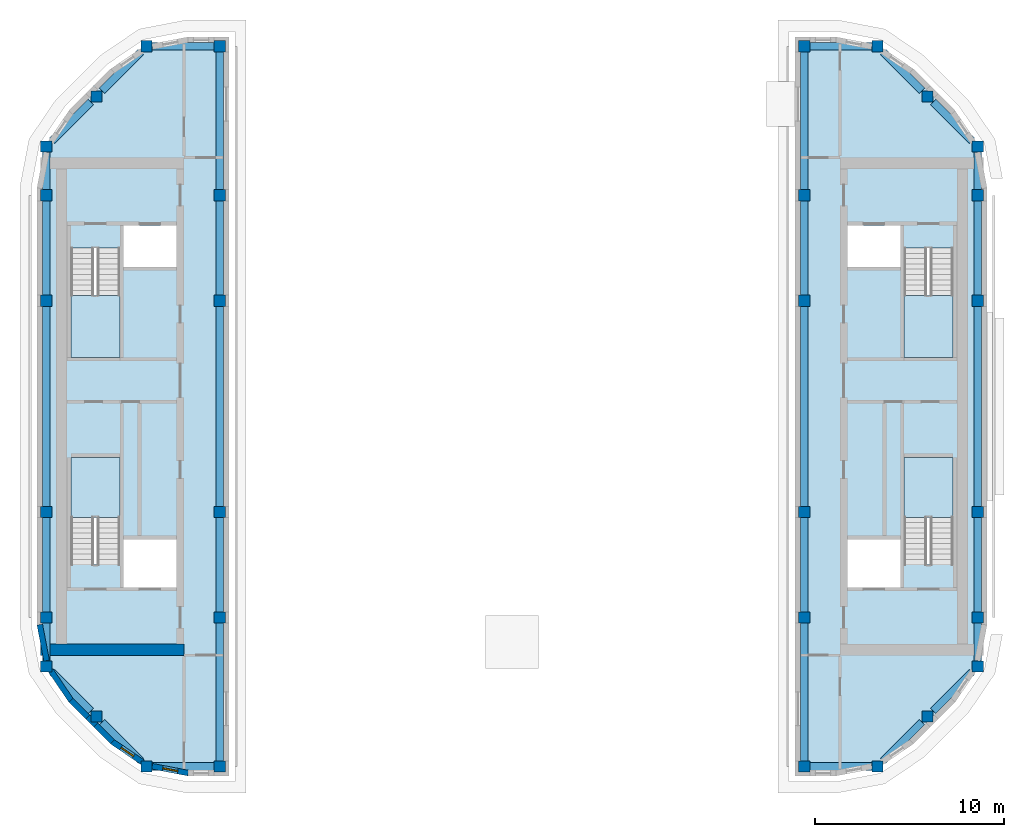
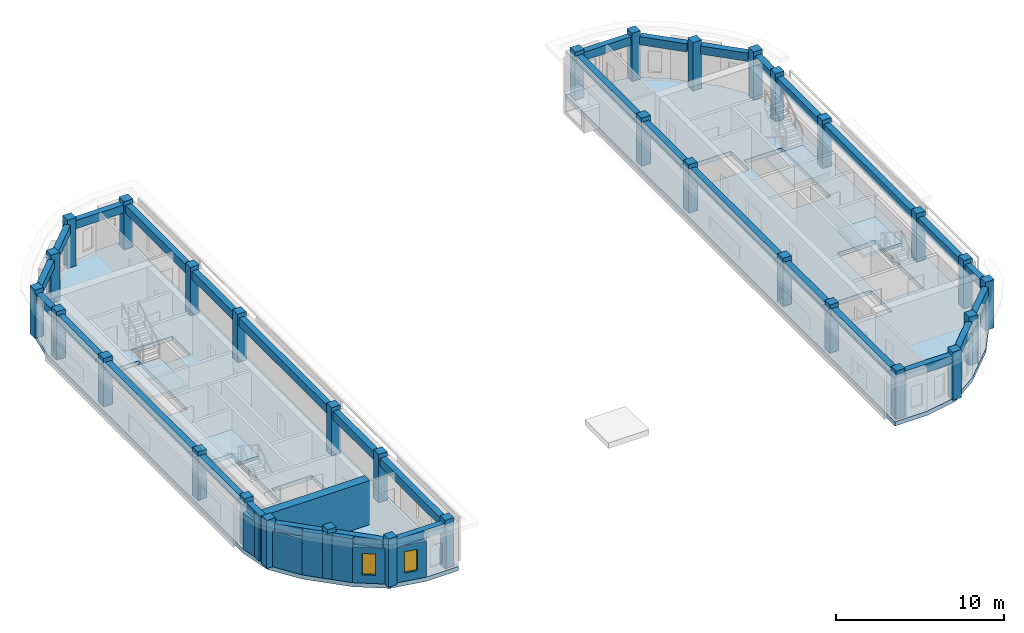
# One storey, part 1 of 11: 32 beams, 32 columns, 8 walls, 6 slabs, 2 windows, 2 openings, 4 elements without a shape of their own.
"""IFC4 building model written with IfcOpenShell, lengths in metres."""

from ifc_helpers import new_model, si_unit, direction, frame, frame_2d, origin, origin_2d, place, context, subcontext, project, spatial, polyline, rectangle, outline, extrude, material, layer, layer_set, material_profile, profile_set, type_object, element, fill, aggregate, save


model = new_model("IFC4")

# Units and contexts
model_context = context("Model", 3, precision=1e-05, world=origin(), true_north=direction((0.0, 1.0)))
body_context = subcontext(model_context, "Body", "Model", "MODEL_VIEW")
ifc_project = project(units=[si_unit("LENGTHUNIT", "METRE"), si_unit("AREAUNIT", "SQUARE_METRE"), si_unit("VOLUMEUNIT", "CUBIC_METRE"), si_unit("PLANEANGLEUNIT", "RADIAN"), si_unit("MASSUNIT", "GRAM", prefix="KILO")], contexts=[model_context])

# Site, building, storey
site_placement = place(None, origin())
site = spatial("IfcSite", under=ifc_project, at=site_placement, CompositionType="ELEMENT")
building_placement = place(site_placement, origin())
building = spatial("IfcBuilding", under=site, at=building_placement, Name="Kiln Ring Residences", CompositionType="ELEMENT")
storey_placement = place(building_placement, frame((0.0, 0.0, 303.39990234375)))
storey = spatial("IfcBuildingStorey", under=building, at=storey_placement, Name="L78 Crown", CompositionType="ELEMENT", Elevation=303.39990234375)

# Columns
ifc_material_1 = material(Name="Concrete C60/75", Category="concrete")
ifc_material_profile_1 = material_profile(ifc_material_1, rectangle(XDim=0.60009765625, YDim=0.60009765625, at=origin_2d()), Name="RC600x600")
ifc_profile_set_1 = profile_set([ifc_material_profile_1], Name="Concrete C60/75")
column_type = type_object("IfcColumnType", Name="Crown column RC600x600 C60/75", PredefinedType="COLUMN", material=ifc_profile_set_1)
for number, where, z_axis, x_axis, name in (
    (1, (-24.699951171875, -13.79296875, 0.0), (0.0, 0.0, 1.0), (1.0, 0.0, 0.0), "Crown column L78 Crown 1"),
    (2, (-24.699951171875, -11.199951171875, 0.0), (0.0, 0.0, 1.0), (1.0, 0.0, 0.0), "Crown column L78 Crown 2"),
    (3, (-24.699951171875, -5.60009765625, 0.0), (0.0, 0.0, 1.0), (1.0, 0.0, 0.0), "Crown column L78 Crown 3"),
    (4, (-24.699951171875, 5.60009765625, 0.0), (0.0, 0.0, 1.0), (1.0, 0.0, 0.0), "Crown column L78 Crown 4"),
    (5, (-24.699951171875, 11.199951171875, 0.0), (0.0, 0.0, 1.0), (1.0, 0.0, 0.0), "Crown column L78 Crown 5"),
    (6, (-24.699951171875, 13.79296875, 0.0), (0.0, 0.0, 1.0), (1.0, 0.0, 0.0), "Crown column L78 Crown 6"),
    (7, (-22.04638671875, -16.4462890625, 0.0), (0.0, 0.0, 1.0), (1.0, 0.0, 0.0), "Crown column L78 Crown 7"),
    (8, (-22.04638671875, 16.4462890625, 0.0), (0.0, 0.0, 1.0), (1.0, 0.0, 0.0), "Crown column L78 Crown 8"),
    (9, (-19.392822265625, -19.10009765625, 0.0), (0.0, 0.0, 1.0), (1.0, 0.0, 0.0), "Crown column L78 Crown 9"),
    (10, (-19.392822265625, 19.10009765625, 0.0), (0.0, 0.0, 1.0), (1.0, 0.0, 0.0), "Crown column L78 Crown 10"),
    (11, (-15.5, -19.10009765625, 0.0), (0.0, 0.0, 1.0), (1.0, 0.0, 0.0), "Crown column L78 Crown 11"),
    (12, (-15.5, -11.199951171875, 0.0), (0.0, 0.0, 1.0), (1.0, 0.0, 0.0), "Crown column L78 Crown 12"),
    (13, (-15.5, -5.60009765625, 0.0), (0.0, 0.0, 1.0), (1.0, 0.0, 0.0), "Crown column L78 Crown 13"),
    (14, (-15.5, 5.60009765625, 0.0), (0.0, 0.0, 1.0), (1.0, 0.0, 0.0), "Crown column L78 Crown 14"),
    (15, (-15.5, 11.199951171875, 0.0), (0.0, 0.0, 1.0), (1.0, 0.0, 0.0), "Crown column L78 Crown 15"),
    (16, (-15.5, 19.10009765625, 0.0), (0.0, 0.0, 1.0), (1.0, 0.0, 0.0), "Crown column L78 Crown 16"),
    (17, (15.5, -19.10009765625, 0.0), (0.0, 0.0, 1.0), (1.0, 0.0, 0.0), "Crown column L78 Crown 17"),
    (18, (15.5, -11.199951171875, 0.0), (0.0, 0.0, 1.0), (1.0, 0.0, 0.0), "Crown column L78 Crown 18"),
    (19, (15.5, -5.60009765625, 0.0), (0.0, 0.0, 1.0), (1.0, 0.0, 0.0), "Crown column L78 Crown 19"),
    (20, (15.5, 5.60009765625, 0.0), (0.0, 0.0, 1.0), (1.0, 0.0, 0.0), "Crown column L78 Crown 20"),
    (21, (15.5, 11.199951171875, 0.0), (0.0, 0.0, 1.0), (1.0, 0.0, 0.0), "Crown column L78 Crown 21"),
    (22, (15.5, 19.10009765625, 0.0), (0.0, 0.0, 1.0), (1.0, 0.0, 0.0), "Crown column L78 Crown 22"),
    (23, (19.392822265625, -19.10009765625, 0.0), (0.0, 0.0, 1.0), (1.0, 0.0, 0.0), "Crown column L78 Crown 23"),
    (24, (19.392822265625, 19.10009765625, 0.0), (0.0, 0.0, 1.0), (1.0, 0.0, 0.0), "Crown column L78 Crown 24"),
    (25, (22.04638671875, -16.4462890625, 0.0), (0.0, 0.0, 1.0), (1.0, 0.0, 0.0), "Crown column L78 Crown 25"),
    (26, (22.04638671875, 16.4462890625, 0.0), (0.0, 0.0, 1.0), (1.0, 0.0, 0.0), "Crown column L78 Crown 26"),
    (27, (24.699951171875, -13.79296875, 0.0), (0.0, 0.0, 1.0), (1.0, 0.0, 0.0), "Crown column L78 Crown 27"),
    (28, (24.699951171875, -11.199951171875, 0.0), (0.0, 0.0, 1.0), (1.0, 0.0, 0.0), "Crown column L78 Crown 28"),
    (29, (24.699951171875, -5.60009765625, 0.0), (0.0, 0.0, 1.0), (1.0, 0.0, 0.0), "Crown column L78 Crown 29"),
    (30, (24.699951171875, 5.60009765625, 0.0), (0.0, 0.0, 1.0), (1.0, 0.0, 0.0), "Crown column L78 Crown 30"),
    (31, (24.699951171875, 11.199951171875, 0.0), (0.0, 0.0, 1.0), (1.0, 0.0, 0.0), "Crown column L78 Crown 31"),
    (32, (24.699951171875, 13.79296875, 0.0), (0.0, 0.0, 1.0), (1.0, 0.0, 0.0), "Crown column L78 Crown 32"),
):
    element("IfcColumn", number, at=place(storey_placement, frame(where, z_axis=z_axis, x_axis=x_axis)), inside=storey, type_object=column_type, Name=name, PredefinedType="COLUMN", context=body_context, shape_type="SweptSolid", body=[
        extrude(rectangle(XDim=0.60009765625, YDim=0.60009765625, at=origin_2d()), origin(), (0.0, 0.0, 1.0), 3.5),
    ])

# Beams
ifc_material_2 = material(Name="Concrete C50/60", Category="concrete")
ifc_material_profile_2 = material_profile(ifc_material_2, rectangle(XDim=0.39990234375, YDim=0.60009765625, at=origin_2d()), Name="RC400x600")
ifc_profile_set_2 = profile_set([ifc_material_profile_2], Name="Concrete C50/60")
beam_type = type_object("IfcBeamType", Name="Spandrel beam RC400x600 C50/60", PredefinedType="SPANDREL", material=ifc_profile_set_2)
beam_1_placement = place(storey_placement, frame((-24.699951171875, -5.89990234375, 2.900146484375), z_axis=(0.0, -1.0, 0.0), x_axis=(1.0, 0.0, 0.0)))
element("IfcBeam", 33, at=beam_1_placement, inside=storey, type_object=beam_type, Name="Spandrel beam L78 Crown 1", PredefinedType="SPANDREL", context=body_context, shape_type="SweptSolid", body=[
    extrude(rectangle(XDim=0.39990234375, YDim=0.60009765625, at=origin_2d()), origin(), (0.0, 0.0, 1.0), 5.0),
])
beam_2_placement = place(storey_placement, frame((-24.699951171875, -11.5, 2.900146484375), z_axis=(0.0, -1.0, 0.0), x_axis=(1.0, 0.0, 0.0)))
element("IfcBeam", 34, at=beam_2_placement, inside=storey, type_object=beam_type, Name="Spandrel beam L78 Crown 2", PredefinedType="SPANDREL", context=body_context, shape_type="SweptSolid", body=[
    extrude(rectangle(XDim=0.39990234375, YDim=0.60009765625, at=origin_2d()), origin(), (0.0, 0.0, 1.0), 1.992919921875),
])
for number, where, z_axis, x_axis, name in (
    (35, (-24.39990234375, -14.0927734375, 2.900146484375), (0.707064747792, -0.707148812083, 0.0), (0.707148812083, 0.707064747792, 0.0), "Spandrel beam L78 Crown 3"),
    (36, (-21.746337890625, -16.746337890625, 2.900146484375), (0.707064747792, -0.707148812083, 0.0), (0.707148812083, 0.707064747792, 0.0), "Spandrel beam L78 Crown 4"),
):
    element("IfcBeam", number, at=place(storey_placement, frame(where, z_axis=z_axis, x_axis=x_axis)), inside=storey, type_object=beam_type, Name=name, PredefinedType="SPANDREL", context=body_context, shape_type="SweptSolid", body=[
        extrude(rectangle(XDim=0.39990234375, YDim=0.60009765625, at=origin_2d()), origin(), (0.0, 0.0, 1.0), 2.904296875),
    ])
beam_3_placement = place(storey_placement, frame((-19.093017578125, -19.10009765625, 2.900146484375), z_axis=(1.0, 0.0, 0.0), x_axis=(0.0, 1.0, 0.0)))
element("IfcBeam", 37, at=beam_3_placement, inside=storey, type_object=beam_type, Name="Spandrel beam L78 Crown 5", PredefinedType="SPANDREL", context=body_context, shape_type="SweptSolid", body=[
    extrude(rectangle(XDim=0.39990234375, YDim=0.60009765625, at=origin_2d()), origin(), (0.0, 0.0, 1.0), 3.29296875),
])
beam_4_placement = place(storey_placement, frame((-15.5, -18.800048828125, 2.900146484375), z_axis=(0.0, 1.0, 0.0), x_axis=(-1.0, 0.0, 0.0)))
element("IfcBeam", 38, at=beam_4_placement, inside=storey, type_object=beam_type, Name="Spandrel beam L78 Crown 6", PredefinedType="SPANDREL", context=body_context, shape_type="SweptSolid", body=[
    extrude(rectangle(XDim=0.39990234375, YDim=0.60009765625, at=origin_2d()), origin(), (0.0, 0.0, 1.0), 7.300048828125),
])
beam_5_placement = place(storey_placement, frame((-15.5, -10.89990234375, 2.900146484375), z_axis=(0.0, 1.0, 0.0), x_axis=(-1.0, 0.0, 0.0)))
element("IfcBeam", 39, at=beam_5_placement, inside=storey, type_object=beam_type, Name="Spandrel beam L78 Crown 7", PredefinedType="SPANDREL", context=body_context, shape_type="SweptSolid", body=[
    extrude(rectangle(XDim=0.39990234375, YDim=0.60009765625, at=origin_2d()), origin(), (0.0, 0.0, 1.0), 5.0),
])
beam_6_placement = place(storey_placement, frame((-15.5, -5.300048828125, 2.900146484375), z_axis=(0.0, 1.0, 0.0), x_axis=(-1.0, 0.0, 0.0)))
element("IfcBeam", 40, at=beam_6_placement, inside=storey, type_object=beam_type, Name="Spandrel beam L78 Crown 8", PredefinedType="SPANDREL", context=body_context, shape_type="SweptSolid", body=[
    extrude(rectangle(XDim=0.39990234375, YDim=0.60009765625, at=origin_2d()), origin(), (0.0, 0.0, 1.0), 10.60009765625),
])
beam_7_placement = place(storey_placement, frame((-15.5, 5.89990234375, 2.900146484375), z_axis=(0.0, 1.0, 0.0), x_axis=(-1.0, 0.0, 0.0)))
element("IfcBeam", 41, at=beam_7_placement, inside=storey, type_object=beam_type, Name="Spandrel beam L78 Crown 9", PredefinedType="SPANDREL", context=body_context, shape_type="SweptSolid", body=[
    extrude(rectangle(XDim=0.39990234375, YDim=0.60009765625, at=origin_2d()), origin(), (0.0, 0.0, 1.0), 5.0),
])
beam_8_placement = place(storey_placement, frame((-15.5, 11.5, 2.900146484375), z_axis=(0.0, 1.0, 0.0), x_axis=(-1.0, 0.0, 0.0)))
element("IfcBeam", 42, at=beam_8_placement, inside=storey, type_object=beam_type, Name="Spandrel beam L78 Crown 10", PredefinedType="SPANDREL", context=body_context, shape_type="SweptSolid", body=[
    extrude(rectangle(XDim=0.39990234375, YDim=0.60009765625, at=origin_2d()), origin(), (0.0, 0.0, 1.0), 7.300048828125),
])
beam_9_placement = place(storey_placement, frame((-15.800048828125, 19.10009765625, 2.900146484375), z_axis=(-1.0, 0.0, 0.0), x_axis=(0.0, -1.0, 0.0)))
element("IfcBeam", 43, at=beam_9_placement, inside=storey, type_object=beam_type, Name="Spandrel beam L78 Crown 11", PredefinedType="SPANDREL", context=body_context, shape_type="SweptSolid", body=[
    extrude(rectangle(XDim=0.39990234375, YDim=0.60009765625, at=origin_2d()), origin(), (0.0, 0.0, 1.0), 3.29296875),
])
for number, where, z_axis, x_axis, name in (
    (44, (-19.69287109375, 18.800048828125, 2.900146484375), (-0.707064747792, -0.707148812083, 0.0), (0.707148812083, -0.707064747792, 0.0), "Spandrel beam L78 Crown 12"),
    (45, (-22.346435546875, 16.146484375, 2.900146484375), (-0.707064747792, -0.707148812083, 0.0), (0.707148812083, -0.707064747792, 0.0), "Spandrel beam L78 Crown 13"),
):
    element("IfcBeam", number, at=place(storey_placement, frame(where, z_axis=z_axis, x_axis=x_axis)), inside=storey, type_object=beam_type, Name=name, PredefinedType="SPANDREL", context=body_context, shape_type="SweptSolid", body=[
        extrude(rectangle(XDim=0.39990234375, YDim=0.60009765625, at=origin_2d()), origin(), (0.0, 0.0, 1.0), 2.904296875),
    ])
beam_10_placement = place(storey_placement, frame((-24.699951171875, 13.492919921875, 2.900146484375), z_axis=(0.0, -1.0, 0.0), x_axis=(1.0, 0.0, 0.0)))
element("IfcBeam", 46, at=beam_10_placement, inside=storey, type_object=beam_type, Name="Spandrel beam L78 Crown 14", PredefinedType="SPANDREL", context=body_context, shape_type="SweptSolid", body=[
    extrude(rectangle(XDim=0.39990234375, YDim=0.60009765625, at=origin_2d()), origin(), (0.0, 0.0, 1.0), 1.992919921875),
])
beam_11_placement = place(storey_placement, frame((-24.699951171875, 10.89990234375, 2.900146484375), z_axis=(0.0, -1.0, 0.0), x_axis=(1.0, 0.0, 0.0)))
element("IfcBeam", 47, at=beam_11_placement, inside=storey, type_object=beam_type, Name="Spandrel beam L78 Crown 15", PredefinedType="SPANDREL", context=body_context, shape_type="SweptSolid", body=[
    extrude(rectangle(XDim=0.39990234375, YDim=0.60009765625, at=origin_2d()), origin(), (0.0, 0.0, 1.0), 5.0),
])
beam_12_placement = place(storey_placement, frame((-24.699951171875, 5.300048828125, 2.900146484375), z_axis=(0.0, -1.0, 0.0), x_axis=(1.0, 0.0, 0.0)))
element("IfcBeam", 48, at=beam_12_placement, inside=storey, type_object=beam_type, Name="Spandrel beam L78 Crown 16", PredefinedType="SPANDREL", context=body_context, shape_type="SweptSolid", body=[
    extrude(rectangle(XDim=0.39990234375, YDim=0.60009765625, at=origin_2d()), origin(), (0.0, 0.0, 1.0), 10.60009765625),
])
beam_13_placement = place(storey_placement, frame((15.5, -5.89990234375, 2.900146484375), z_axis=(0.0, -1.0, 0.0), x_axis=(1.0, 0.0, 0.0)))
element("IfcBeam", 49, at=beam_13_placement, inside=storey, type_object=beam_type, Name="Spandrel beam L78 Crown 17", PredefinedType="SPANDREL", context=body_context, shape_type="SweptSolid", body=[
    extrude(rectangle(XDim=0.39990234375, YDim=0.60009765625, at=origin_2d()), origin(), (0.0, 0.0, 1.0), 5.0),
])
beam_14_placement = place(storey_placement, frame((15.5, -11.5, 2.900146484375), z_axis=(0.0, -1.0, 0.0), x_axis=(1.0, 0.0, 0.0)))
element("IfcBeam", 50, at=beam_14_placement, inside=storey, type_object=beam_type, Name="Spandrel beam L78 Crown 18", PredefinedType="SPANDREL", context=body_context, shape_type="SweptSolid", body=[
    extrude(rectangle(XDim=0.39990234375, YDim=0.60009765625, at=origin_2d()), origin(), (0.0, 0.0, 1.0), 7.300048828125),
])
beam_15_placement = place(storey_placement, frame((15.800048828125, -19.10009765625, 2.900146484375), z_axis=(1.0, 0.0, 0.0), x_axis=(0.0, 1.0, 0.0)))
element("IfcBeam", 51, at=beam_15_placement, inside=storey, type_object=beam_type, Name="Spandrel beam L78 Crown 19", PredefinedType="SPANDREL", context=body_context, shape_type="SweptSolid", body=[
    extrude(rectangle(XDim=0.39990234375, YDim=0.60009765625, at=origin_2d()), origin(), (0.0, 0.0, 1.0), 3.29296875),
])
for number, where, z_axis, x_axis, name in (
    (52, (19.69287109375, -18.800048828125, 2.900146484375), (0.707064747792, 0.707148812083, 0.0), (-0.707148812083, 0.707064747792, 0.0), "Spandrel beam L78 Crown 20"),
    (53, (22.346435546875, -16.146484375, 2.900146484375), (0.707064747792, 0.707148812083, 0.0), (-0.707148812083, 0.707064747792, 0.0), "Spandrel beam L78 Crown 21"),
):
    element("IfcBeam", number, at=place(storey_placement, frame(where, z_axis=z_axis, x_axis=x_axis)), inside=storey, type_object=beam_type, Name=name, PredefinedType="SPANDREL", context=body_context, shape_type="SweptSolid", body=[
        extrude(rectangle(XDim=0.39990234375, YDim=0.60009765625, at=origin_2d()), origin(), (0.0, 0.0, 1.0), 2.904296875),
    ])
beam_16_placement = place(storey_placement, frame((24.699951171875, -13.492919921875, 2.900146484375), z_axis=(0.0, 1.0, 0.0), x_axis=(-1.0, 0.0, 0.0)))
element("IfcBeam", 54, at=beam_16_placement, inside=storey, type_object=beam_type, Name="Spandrel beam L78 Crown 22", PredefinedType="SPANDREL", context=body_context, shape_type="SweptSolid", body=[
    extrude(rectangle(XDim=0.39990234375, YDim=0.60009765625, at=origin_2d()), origin(), (0.0, 0.0, 1.0), 1.992919921875),
])
beam_17_placement = place(storey_placement, frame((24.699951171875, -10.89990234375, 2.900146484375), z_axis=(0.0, 1.0, 0.0), x_axis=(-1.0, 0.0, 0.0)))
element("IfcBeam", 55, at=beam_17_placement, inside=storey, type_object=beam_type, Name="Spandrel beam L78 Crown 23", PredefinedType="SPANDREL", context=body_context, shape_type="SweptSolid", body=[
    extrude(rectangle(XDim=0.39990234375, YDim=0.60009765625, at=origin_2d()), origin(), (0.0, 0.0, 1.0), 5.0),
])
beam_18_placement = place(storey_placement, frame((24.699951171875, -5.300048828125, 2.900146484375), z_axis=(0.0, 1.0, 0.0), x_axis=(-1.0, 0.0, 0.0)))
element("IfcBeam", 56, at=beam_18_placement, inside=storey, type_object=beam_type, Name="Spandrel beam L78 Crown 24", PredefinedType="SPANDREL", context=body_context, shape_type="SweptSolid", body=[
    extrude(rectangle(XDim=0.39990234375, YDim=0.60009765625, at=origin_2d()), origin(), (0.0, 0.0, 1.0), 10.60009765625),
])
beam_19_placement = place(storey_placement, frame((24.699951171875, 5.89990234375, 2.900146484375), z_axis=(0.0, 1.0, 0.0), x_axis=(-1.0, 0.0, 0.0)))
element("IfcBeam", 57, at=beam_19_placement, inside=storey, type_object=beam_type, Name="Spandrel beam L78 Crown 25", PredefinedType="SPANDREL", context=body_context, shape_type="SweptSolid", body=[
    extrude(rectangle(XDim=0.39990234375, YDim=0.60009765625, at=origin_2d()), origin(), (0.0, 0.0, 1.0), 5.0),
])
beam_20_placement = place(storey_placement, frame((24.699951171875, 11.5, 2.900146484375), z_axis=(0.0, 1.0, 0.0), x_axis=(-1.0, 0.0, 0.0)))
element("IfcBeam", 58, at=beam_20_placement, inside=storey, type_object=beam_type, Name="Spandrel beam L78 Crown 26", PredefinedType="SPANDREL", context=body_context, shape_type="SweptSolid", body=[
    extrude(rectangle(XDim=0.39990234375, YDim=0.60009765625, at=origin_2d()), origin(), (0.0, 0.0, 1.0), 1.992919921875),
])
for number, where, z_axis, x_axis, name in (
    (59, (24.39990234375, 14.0927734375, 2.900146484375), (-0.707064747792, 0.707148812083, 0.0), (-0.707148812083, -0.707064747792, 0.0), "Spandrel beam L78 Crown 27"),
    (60, (21.746337890625, 16.746337890625, 2.900146484375), (-0.707064747792, 0.707148812083, 0.0), (-0.707148812083, -0.707064747792, 0.0), "Spandrel beam L78 Crown 28"),
):
    element("IfcBeam", number, at=place(storey_placement, frame(where, z_axis=z_axis, x_axis=x_axis)), inside=storey, type_object=beam_type, Name=name, PredefinedType="SPANDREL", context=body_context, shape_type="SweptSolid", body=[
        extrude(rectangle(XDim=0.39990234375, YDim=0.60009765625, at=origin_2d()), origin(), (0.0, 0.0, 1.0), 2.904296875),
    ])
beam_21_placement = place(storey_placement, frame((19.093017578125, 19.10009765625, 2.900146484375), z_axis=(-1.0, 0.0, 0.0), x_axis=(0.0, -1.0, 0.0)))
element("IfcBeam", 61, at=beam_21_placement, inside=storey, type_object=beam_type, Name="Spandrel beam L78 Crown 29", PredefinedType="SPANDREL", context=body_context, shape_type="SweptSolid", body=[
    extrude(rectangle(XDim=0.39990234375, YDim=0.60009765625, at=origin_2d()), origin(), (0.0, 0.0, 1.0), 3.29296875),
])
beam_22_placement = place(storey_placement, frame((15.5, 18.800048828125, 2.900146484375), z_axis=(0.0, -1.0, 0.0), x_axis=(1.0, 0.0, 0.0)))
element("IfcBeam", 62, at=beam_22_placement, inside=storey, type_object=beam_type, Name="Spandrel beam L78 Crown 30", PredefinedType="SPANDREL", context=body_context, shape_type="SweptSolid", body=[
    extrude(rectangle(XDim=0.39990234375, YDim=0.60009765625, at=origin_2d()), origin(), (0.0, 0.0, 1.0), 7.300048828125),
])
beam_23_placement = place(storey_placement, frame((15.5, 10.89990234375, 2.900146484375), z_axis=(0.0, -1.0, 0.0), x_axis=(1.0, 0.0, 0.0)))
element("IfcBeam", 63, at=beam_23_placement, inside=storey, type_object=beam_type, Name="Spandrel beam L78 Crown 31", PredefinedType="SPANDREL", context=body_context, shape_type="SweptSolid", body=[
    extrude(rectangle(XDim=0.39990234375, YDim=0.60009765625, at=origin_2d()), origin(), (0.0, 0.0, 1.0), 5.0),
])
beam_24_placement = place(storey_placement, frame((15.5, 5.300048828125, 2.900146484375), z_axis=(0.0, -1.0, 0.0), x_axis=(1.0, 0.0, 0.0)))
element("IfcBeam", 64, at=beam_24_placement, inside=storey, type_object=beam_type, Name="Spandrel beam L78 Crown 32", PredefinedType="SPANDREL", context=body_context, shape_type="SweptSolid", body=[
    extrude(rectangle(XDim=0.39990234375, YDim=0.60009765625, at=origin_2d()), origin(), (0.0, 0.0, 1.0), 10.60009765625),
])

# Stair, slab
ifc_material_3 = material(Name="Concrete C40/50", Category="concrete")
stair_type = type_object("IfcStairType", Name="CORE-STAIR", PredefinedType="HALF_TURN_STAIR", material=ifc_material_3)
placement_1 = place(storey_placement, origin())
stair_1 = element("IfcStair", 65, at=placement_1, inside=storey, type_object=stair_type, Name="L78 Crown stair W-STN", PredefinedType="HALF_TURN_STAIR")
ifc_material_4 = material(Name="Concrete C40/50", Category="concrete")
ifc_layer_1 = layer(ifc_material_4, 0.199951171875)
ifc_layer_set_1 = layer_set([ifc_layer_1], Name="CORE-STAIR-LANDING")
slab_type_1 = type_object("IfcSlabType", Name="CORE-STAIR-LANDING", PredefinedType="LANDING", material=ifc_layer_set_1)
placement_2 = place(storey_placement, frame((0.0, 0.0, 1.550048828125)))
slab_1 = element("IfcSlab", 66, at=placement_2, type_object=slab_type_1, Name="W-STN landing 1", PredefinedType="LANDING", context=body_context, shape_type="SweptSolid", body=[
    extrude(outline(polyline([(-23.39990234375, 5.8798828125), (-23.39990234375, 2.60009765625), (-20.800048828125, 2.60009765625), (-20.800048828125, 5.8798828125), (-23.39990234375, 5.8798828125)])), origin(), (0.0, 0.0, 1.0), 0.199951171875),
])
aggregate(stair_1, [slab_1])

stair_2 = element("IfcStair", 67, at=placement_1, inside=storey, type_object=stair_type, Name="L78 Crown stair W-STS", PredefinedType="HALF_TURN_STAIR")
slab_2 = element("IfcSlab", 68, at=placement_2, type_object=slab_type_1, Name="W-STS landing 1", PredefinedType="LANDING", context=body_context, shape_type="SweptSolid", body=[
    extrude(outline(polyline([(-20.800048828125, -5.8798828125), (-20.800048828125, -2.699951171875), (-23.39990234375, -2.699951171875), (-23.39990234375, -5.8798828125), (-20.800048828125, -5.8798828125)])), origin(), (0.0, 0.0, 1.0), 0.199951171875),
])
aggregate(stair_2, [slab_2])

stair_3 = element("IfcStair", 69, at=placement_1, inside=storey, type_object=stair_type, Name="L78 Crown stair E-STN", PredefinedType="HALF_TURN_STAIR")
slab_3 = element("IfcSlab", 70, at=placement_2, type_object=slab_type_1, Name="E-STN landing 1", PredefinedType="LANDING", context=body_context, shape_type="SweptSolid", body=[
    extrude(outline(polyline([(20.800048828125, 5.8798828125), (20.800048828125, 2.60009765625), (23.39990234375, 2.60009765625), (23.39990234375, 5.8798828125), (20.800048828125, 5.8798828125)])), origin(), (0.0, 0.0, 1.0), 0.199951171875),
])
aggregate(stair_3, [slab_3])

stair_4 = element("IfcStair", 71, at=placement_1, inside=storey, type_object=stair_type, Name="L78 Crown stair E-STS", PredefinedType="HALF_TURN_STAIR")
slab_4 = element("IfcSlab", 72, at=placement_2, type_object=slab_type_1, Name="E-STS landing 1", PredefinedType="LANDING", context=body_context, shape_type="SweptSolid", body=[
    extrude(outline(polyline([(23.39990234375, -5.8798828125), (23.39990234375, -2.699951171875), (20.800048828125, -2.699951171875), (20.800048828125, -5.8798828125), (23.39990234375, -5.8798828125)])), origin(), (0.0, 0.0, 1.0), 0.199951171875),
])
aggregate(stair_4, [slab_4])

# Slabs
ifc_material_5 = material(Name="Concrete C40/50", Category="concrete")
ifc_layer_2 = layer(ifc_material_5, 0.300048828125)
ifc_layer_set_2 = layer_set([ifc_layer_2], Name="Floor slab 300")
slab_type_2 = type_object("IfcSlabType", Name="Floor slab 300", PredefinedType="FLOOR", material=ifc_layer_set_2)
placement_3 = place(storey_placement, frame((0.0, 0.0, -0.2998046875)))
element("IfcSlab", 73, at=placement_3, inside=storey, type_object=slab_type_2, Name="Floor slab L78 Crown 1", PredefinedType="FLOOR", context=body_context, shape_type="SweptSolid", body=[
    extrude(outline(polyline([(-21.297119140625, -17.90283203125), (-19.42431640625, -19.17578125), (-17.199951171875, -19.60009765625), (-15.0, -19.60009765625), (-15.0, 19.60009765625), (-17.199951171875, 19.60009765625), (-19.42431640625, 19.17578125), (-21.297119140625, 17.90283203125), (-23.5029296875, 15.697021484375), (-24.775634765625, 13.82421875), (-25.199951171875, 11.60009765625), (-25.199951171875, -11.60009765625), (-24.775634765625, -13.82421875), (-23.5029296875, -15.697021484375), (-21.297119140625, -17.90283203125)]), holes=[polyline([(-17.800048828125, -7.050048828125), (-17.800048828125, -9.60009765625), (-20.60009765625, -9.60009765625), (-20.60009765625, -7.050048828125), (-17.800048828125, -7.050048828125)]), polyline([(-17.800048828125, 9.60009765625), (-17.800048828125, 7.39990234375), (-20.60009765625, 7.39990234375), (-20.60009765625, 9.60009765625), (-17.800048828125, 9.60009765625)]), polyline([(-20.800048828125, -2.699951171875), (-20.800048828125, -8.39794921875), (-23.39990234375, -8.39794921875), (-23.39990234375, -2.699951171875), (-20.800048828125, -2.699951171875)]), polyline([(-20.800048828125, 8.39794921875), (-20.800048828125, 2.60009765625), (-23.39990234375, 2.60009765625), (-23.39990234375, 8.39794921875), (-20.800048828125, 8.39794921875)])]), origin(), (0.0, 0.0, 1.0), 0.2998046875),
])
element("IfcSlab", 74, at=placement_3, inside=storey, type_object=slab_type_2, Name="Floor slab L78 Crown 2", PredefinedType="FLOOR", context=body_context, shape_type="SweptSolid", body=[
    extrude(outline(polyline([(15.0, 19.60009765625), (15.0, -19.60009765625), (17.199951171875, -19.60009765625), (19.42431640625, -19.17578125), (21.297119140625, -17.90283203125), (23.5029296875, -15.697021484375), (24.775634765625, -13.82421875), (25.199951171875, -11.60009765625), (25.199951171875, 11.60009765625), (24.775634765625, 13.82421875), (23.5029296875, 15.697021484375), (21.297119140625, 17.90283203125), (19.42431640625, 19.17578125), (17.199951171875, 19.60009765625), (15.0, 19.60009765625)]), holes=[polyline([(23.39990234375, -8.39794921875), (20.800048828125, -8.39794921875), (20.800048828125, -2.699951171875), (23.39990234375, -2.699951171875), (23.39990234375, -8.39794921875)]), polyline([(23.39990234375, 2.60009765625), (20.800048828125, 2.60009765625), (20.800048828125, 8.39794921875), (23.39990234375, 8.39794921875), (23.39990234375, 2.60009765625)]), polyline([(20.60009765625, -9.60009765625), (17.800048828125, -9.60009765625), (17.800048828125, -7.050048828125), (20.60009765625, -7.050048828125), (20.60009765625, -9.60009765625)]), polyline([(20.60009765625, 7.39990234375), (17.800048828125, 7.39990234375), (17.800048828125, 9.60009765625), (20.60009765625, 9.60009765625), (20.60009765625, 7.39990234375)])]), origin(), (0.0, 0.0, 1.0), 0.2998046875),
])

# Wall
ifc_material_6 = material(Name="Concrete C60/75", Category="concrete")
ifc_layer_3 = layer(ifc_material_6, 0.60009765625)
ifc_layer_set_3 = layer_set([ifc_layer_3], Name="CORE-WALL-RC600")
wall_type_1 = type_object("IfcWallType", Name="CORE-WALL-RC600", PredefinedType="SHEAR", material=ifc_layer_set_3)
wall_1_placement = place(storey_placement, frame((-17.39990234375, -12.89990234375, 0.0), z_axis=(0.0, 0.0, 1.0), x_axis=(-1.0, 0.0, 0.0)))
element("IfcWall", 75, at=wall_1_placement, inside=storey, type_object=wall_type_1, Name="Core wall west L78 Crown 5", PredefinedType="SHEAR", context=body_context, shape_type="SweptSolid", body=[
    extrude(rectangle(XDim=7.60009765625, YDim=0.60009765625, at=frame_2d((3.800048828125, 0.0))), origin(), (0.0, 0.0, 1.0), 3.2001953125),
])

# Wall, opening, window
ifc_material_7 = material(Name="Brick masonry, dark clay brick", Category="masonry")
ifc_layer_4 = layer(ifc_material_7, 0.300048828125)
ifc_layer_set_4 = layer_set([ifc_layer_4], Name="EW-300 BRICK WALL")
wall_type_2 = type_object("IfcWallType", Name="EW-300 BRICK WALL", PredefinedType="SOLIDWALL", material=ifc_layer_set_4)
wall_2_placement = place(storey_placement, frame((-21.212646484375, -17.77880859375, 0.0), z_axis=(0.0, 0.0, 1.0), x_axis=(0.827022075481, -0.562169446579, 0.0)))
wall_2 = element("IfcWall", 76, at=wall_2_placement, inside=storey, type_object=wall_type_2, Name="Facade wall L78 Crown 1", PredefinedType="SOLIDWALL", context=body_context, shape_type="SweptSolid", body=[
    extrude(rectangle(XDim=1.94775390625, YDim=0.300048828125, at=frame_2d((0.973876953125, 0.0))), origin(), (0.0, 0.0, 1.0), 2.60009765625),
])
opening_1_placement = place(wall_2_placement, frame((0.573974609375, 0.0, 0.60009765625)))
opening_1 = element("IfcOpeningElement", 77, at=opening_1_placement, cuts=wall_2, Name="Opening W5", PredefinedType="OPENING", context=body_context, shape_type="SweptSolid", body=[
    extrude(rectangle(XDim=0.800048828125, YDim=1.550048828125, at=frame_2d((0.39990234375, 0.77490234375))), frame((0.0, 0.159912109375, 0.0), z_axis=(0.0, -1.0, 0.0), x_axis=(1.0, 0.0, 0.0)), (0.0, 0.0, 1.0), 0.320068359375),
])
ifc_material_8 = material(Name="Aluminium frame with double glazing", Category="aluminium")
window_type = type_object("IfcWindowType", Name="WINDOW 800 x 1550", PartitioningType="SINGLE_PANEL", PredefinedType="WINDOW", material=ifc_material_8)
window_1_placement = place(opening_1_placement, origin())
window_1 = element("IfcWindow", 78, at=window_1_placement, inside=storey, type_object=window_type, Name="Window L78 Crown 1", OverallHeight=1.550048828125, OverallWidth=0.800048828125, PartitioningType="SINGLE_PANEL", PredefinedType="WINDOW", context=body_context, shape_type="SweptSolid", body=[
    extrude(rectangle(XDim=0.800048828125, YDim=1.550048828125, at=frame_2d((0.39990234375, 0.77490234375))), frame((0.0, 0.030029296875, 0.0), z_axis=(0.0, -1.0, 0.0), x_axis=(1.0, 0.0, 0.0)), (0.0, 0.0, 1.0), 0.06005859375),
])
fill(opening_1, window_1)

wall_3_placement = place(storey_placement, frame((-19.085205078125, -19.087646484375, 0.0), z_axis=(0.0, 0.0, 1.0), x_axis=(0.982286967073, -0.187382801553, 0.0)))
wall_3 = element("IfcWall", 79, at=wall_3_placement, inside=storey, type_object=wall_type_2, Name="Facade wall L78 Crown 2", PredefinedType="SOLIDWALL", context=body_context, shape_type="SweptSolid", body=[
    extrude(rectangle(XDim=1.94775390625, YDim=0.300048828125, at=frame_2d((0.973876953125, 0.0))), origin(), (0.0, 0.0, 1.0), 2.60009765625),
])
opening_2_placement = place(wall_3_placement, frame((0.573974609375, 0.0, 0.60009765625)))
opening_2 = element("IfcOpeningElement", 80, at=opening_2_placement, cuts=wall_3, Name="Opening W5", PredefinedType="OPENING", context=body_context, shape_type="SweptSolid", body=[
    extrude(rectangle(XDim=0.800048828125, YDim=1.550048828125, at=frame_2d((0.39990234375, 0.77490234375))), frame((0.0, 0.159912109375, 0.0), z_axis=(0.0, -1.0, 0.0), x_axis=(1.0, 0.0, 0.0)), (0.0, 0.0, 1.0), 0.320068359375),
])
window_2_placement = place(opening_2_placement, origin())
window_2 = element("IfcWindow", 81, at=window_2_placement, inside=storey, type_object=window_type, Name="Window L78 Crown 2", OverallHeight=1.550048828125, OverallWidth=0.800048828125, PartitioningType="SINGLE_PANEL", PredefinedType="WINDOW", context=body_context, shape_type="SweptSolid", body=[
    extrude(rectangle(XDim=0.800048828125, YDim=1.550048828125, at=frame_2d((0.39990234375, 0.77490234375))), frame((0.0, 0.030029296875, 0.0), z_axis=(0.0, -1.0, 0.0), x_axis=(1.0, 0.0, 0.0)), (0.0, 0.0, 1.0), 0.06005859375),
])
fill(opening_2, window_2)

# Walls
wall_4_placement = place(storey_placement, frame((-25.052490234375, -11.57275390625, 0.0), z_axis=(0.0, 0.0, 1.0), x_axis=(0.187354129902, -0.982292436095, 0.0)))
element("IfcWall", 82, at=wall_4_placement, inside=storey, type_object=wall_type_2, Name="Facade wall L78 Crown 19", PredefinedType="SOLIDWALL", context=body_context, shape_type="SweptSolid", body=[
    extrude(rectangle(XDim=1.94677734375, YDim=0.300048828125, at=frame_2d((0.973388671875, 0.0))), origin(), (0.0, 0.0, 1.0), 2.60009765625),
])
wall_5_placement = place(storey_placement, frame((-24.4736328125, -14.001708984375, 0.0), z_axis=(0.0, 0.0, 1.0), x_axis=(0.562025435703, -0.827119948752, 0.0)))
element("IfcWall", 83, at=wall_5_placement, inside=storey, type_object=wall_type_2, Name="Facade wall L78 Crown 20", PredefinedType="SOLIDWALL", context=body_context, shape_type="SweptSolid", body=[
    extrude(rectangle(XDim=1.94775390625, YDim=0.300048828125, at=frame_2d((0.973876953125, 0.0))), origin(), (0.0, 0.0, 1.0), 2.60009765625),
])
for number, where, z_axis, x_axis, name in (
    (84, (-23.39697265625, -15.591064453125, 0.0), (0.0, 0.0, 1.0), (0.707203678312, -0.707009870781, 0.0), "Facade wall L78 Crown 21"),
    (85, (-22.081787109375, -16.906005859375, 0.0), (0.0, 0.0, 1.0), (0.707106781187, -0.707106781187, 0.0), "Facade wall L78 Crown 22"),
):
    element("IfcWall", number, at=place(storey_placement, frame(where, z_axis=z_axis, x_axis=x_axis)), inside=storey, type_object=wall_type_2, Name=name, PredefinedType="SOLIDWALL", context=body_context, shape_type="SweptSolid", body=[
        extrude(rectangle(XDim=1.259765625, YDim=0.300048828125, at=frame_2d((0.6298828125, 0.0))), origin(), (0.0, 0.0, 1.0), 3.2001953125),
    ])
element("IfcWall", 86, at=placement_1, inside=storey, type_object=wall_type_2, Name="Corner wall L78 Crown 12", PredefinedType="SOLIDWALL", context=body_context, shape_type="SweptSolid", body=[
    extrude(outline(polyline([(-22.39990234375, -16.375732421875), (-22.612060546875, -16.587890625), (-22.18798828125, -17.01220703125), (-21.9755859375, -16.800048828125), (-22.029296875, -16.746337890625), (-22.346435546875, -16.746337890625), (-22.346435546875, -16.42919921875), (-22.39990234375, -16.375732421875)])), origin(), (0.0, 0.0, 1.0), 3.2001953125),
])

save(model, "model.ifc")
